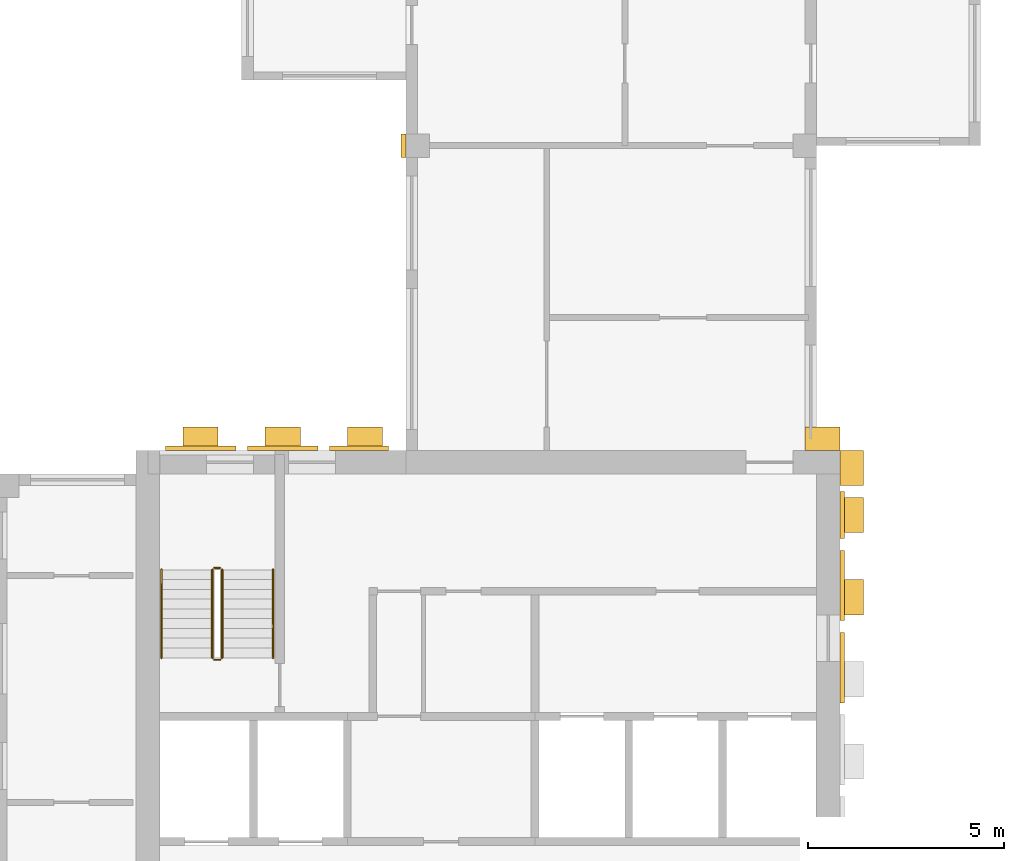
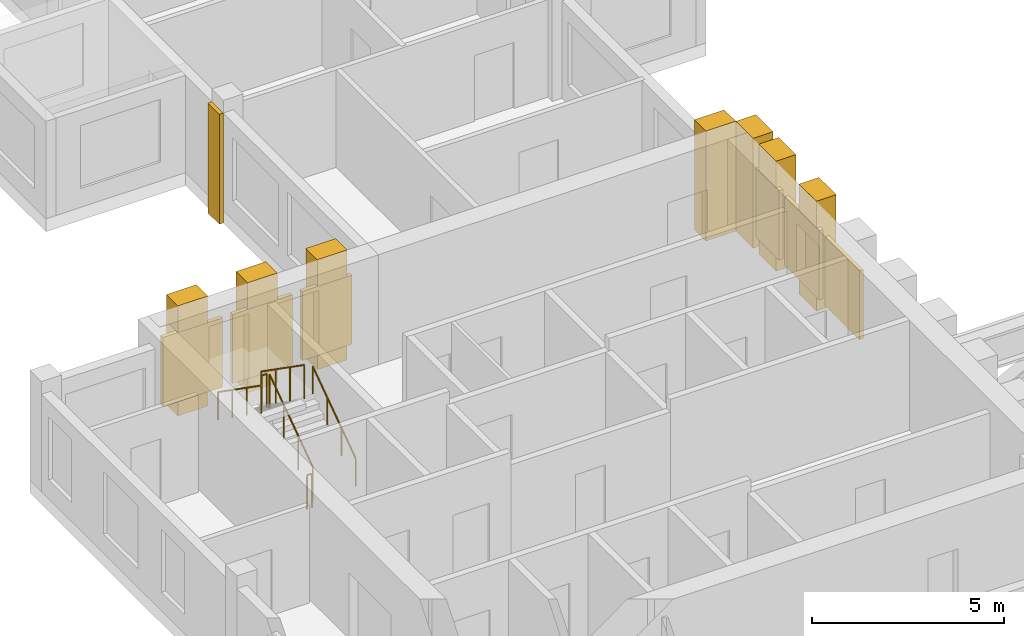
# One storey, part 7 of 9: 14 coverings, 6 railings.
"""IFC4 building model written with IfcOpenShell, lengths in metres."""

from ifc_helpers import new_model, si_unit, direction, frame, origin, origin_2d, place, context, subcontext, project, spatial, rectangle, circle, extrude, source, transform, mapped, material, type_object, element, save


model = new_model("IFC4")

# Units and contexts
model_context = context("Model", 3, precision=1e-05, world=origin(), true_north=direction((0.0, 1.0)))
body_context = subcontext(model_context, "Body", "Model", "MODEL_VIEW")
ifc_project = project(units=[si_unit("LENGTHUNIT", "METRE"), si_unit("AREAUNIT", "SQUARE_METRE"), si_unit("VOLUMEUNIT", "CUBIC_METRE"), si_unit("PLANEANGLEUNIT", "RADIAN"), si_unit("MASSUNIT", "GRAM", prefix="KILO")], contexts=[model_context])

# Site, building, storey
site_placement = place(None, origin())
site = spatial("IfcSite", under=ifc_project, at=site_placement, CompositionType="ELEMENT")
building_placement = place(site_placement, origin())
building = spatial("IfcBuilding", under=site, at=building_placement, Name="Aurelian Terraces", CompositionType="ELEMENT")
storey_placement = place(building_placement, frame((0.0, 0.0, 351.0)))
storey = spatial("IfcBuildingStorey", under=building, at=storey_placement, Name="L83", CompositionType="ELEMENT", Elevation=351.0)

# Coverings
ifc_material_1 = material(Name="Terracotta rainscreen cladding louvre blades", Category="masonry")
covering_type_1 = type_object("IfcCoveringType", Name="LOUVRE-TC", PredefinedType="CLADDING", material=ifc_material_1)
shared_shape_1 = source(origin(), body_context, "Body", "SweptSolid", [
    extrude(rectangle(XDim=0.12, YDim=1.8, at=origin_2d()), origin(), (0.0, 0.0, 1.0), 2.2),
])
for number, where, z_axis, x_axis, name in (
    (1, (21.66, 16.05, 0.45), (0.0, 0.0, 1.0), (1.0, 0.0, 0.0), "LOUVRE L83 core face E.4"),
    (2, (21.66, 18.15, 0.45), (0.0, 0.0, 1.0), (1.0, 0.0, 0.0), "LOUVRE L83 core face E.5"),
):
    element("IfcCovering", number, at=place(storey_placement, frame(where, z_axis=z_axis, x_axis=x_axis)), inside=storey, type_object=covering_type_1, Name=name, PredefinedType="CLADDING", context=body_context, shape_type="MappedRepresentation", body=[
        mapped(shared_shape_1, transform((0.0, 0.0, 0.0), scale=1.0)),
    ])
shared_shape_2 = source(origin(), body_context, "Body", "SweptSolid", [
    extrude(rectangle(XDim=1.8, YDim=0.12, at=origin_2d()), origin(), (0.0, 0.0, 1.0), 2.2),
])
for number, where, z_axis, x_axis, name in (
    (3, (5.25, 21.66, 0.45), (0.0, 0.0, 1.0), (1.0, 0.0, 0.0), "LOUVRE L83 core face N.1"),
    (4, (7.35, 21.66, 0.45), (0.0, 0.0, 1.0), (1.0, 0.0, 0.0), "LOUVRE L83 core face N.2"),
):
    element("IfcCovering", number, at=place(storey_placement, frame(where, z_axis=z_axis, x_axis=x_axis)), inside=storey, type_object=covering_type_1, Name=name, PredefinedType="CLADDING", context=body_context, shape_type="MappedRepresentation", body=[
        mapped(shared_shape_2, transform((0.0, 0.0, 0.0), scale=1.0)),
    ])
shared_shape_3 = source(origin(), body_context, "Body", "SweptSolid", [
    extrude(rectangle(XDim=0.12, YDim=1.2, at=origin_2d()), origin(), (0.0, 0.0, 1.0), 2.2),
])
covering_1_placement = place(storey_placement, frame((21.66, 19.95, 0.45), z_axis=(0.0, 0.0, 1.0), x_axis=(1.0, 0.0, 0.0)))
element("IfcCovering", 5, at=covering_1_placement, inside=storey, type_object=covering_type_1, Name="LOUVRE L83 core face E.6", PredefinedType="CLADDING", context=body_context, shape_type="MappedRepresentation", body=[
    mapped(shared_shape_3, transform((0.0, 0.0, 0.0), scale=1.0)),
])
shared_shape_4 = source(origin(), body_context, "Body", "SweptSolid", [
    extrude(rectangle(XDim=1.5, YDim=0.12, at=origin_2d()), origin(), (0.0, 0.0, 1.0), 2.2),
])
covering_2_placement = place(storey_placement, frame((9.3, 21.66, 0.45), z_axis=(0.0, 0.0, 1.0), x_axis=(1.0, 0.0, 0.0)))
element("IfcCovering", 6, at=covering_2_placement, inside=storey, type_object=covering_type_1, Name="LOUVRE L83 core face N.3", PredefinedType="CLADDING", context=body_context, shape_type="MappedRepresentation", body=[
    mapped(shared_shape_4, transform((0.0, 0.0, 0.0), scale=1.0)),
])
ifc_material_2 = material(Name="Terracotta rainscreen cladding relief", Category="masonry")
covering_type_2 = type_object("IfcCoveringType", Name="BAGUETTE-TC", PredefinedType="CLADDING", material=ifc_material_2)
shared_shape_5 = source(origin(), body_context, "Body", "SweptSolid", [
    extrude(rectangle(XDim=0.12, YDim=0.6, at=origin_2d()), origin(), (0.0, 0.0, 1.0), 3.5),
])
covering_3_placement = place(storey_placement, frame((10.44, 29.4, -0.4), z_axis=(0.0, 0.0, 1.0), x_axis=(1.0, 0.0, 0.0)))
element("IfcCovering", 7, at=covering_3_placement, inside=storey, type_object=covering_type_2, Name="BAGUETTE pier L83 2", PredefinedType="CLADDING", context=body_context, shape_type="MappedRepresentation", body=[
    mapped(shared_shape_5, transform((0.0, 0.0, 0.0), scale=1.0)),
])

# Railings
ifc_material_3 = material(Name="Stainless steel", Category="steel")
railing_type_1 = type_object("IfcRailingType", Name="Stair guard 1100", PredefinedType="GUARDRAIL", material=ifc_material_3)
shared_shape_6 = source(origin(), body_context, "Body", "SweptSolid", [
    extrude(circle(Radius=0.024, at=origin_2d()), frame((0.0, 0.0, 1.076), z_axis=(-1.0, 0.0, 0.0), x_axis=(0.0, -1.0, 0.0)), (0.0, 0.0, 1.0), 0.15),
    extrude(circle(Radius=0.021, at=origin_2d()), origin(), (0.0, 0.0, 1.0), 1.052),
    extrude(circle(Radius=0.021, at=origin_2d()), frame((-0.15, 0.0, 0.0)), (0.0, 0.0, 1.0), 1.052),
])
for number, where, name in (
    (8, (5.75, 18.6, 1.75), "L83 S1 stair guard 2"),
    (9, (5.75, 16.25, 0.0), "L83 S1 stair guard 4"),
):
    element("IfcRailing", number, at=place(storey_placement, frame(where)), inside=storey, type_object=railing_type_1, Name=name, PredefinedType="GUARDRAIL", context=body_context, shape_type="MappedRepresentation", body=[
        mapped(shared_shape_6, transform((0.0, 0.0, 0.0), scale=1.0)),
    ])
shared_shape_7 = source(origin(), body_context, "Body", "SweptSolid", [
    extrude(circle(Radius=0.024, at=origin_2d()), frame((0.0, 0.0, 1.076), z_axis=(0.0, 0.819231920519, 0.573462344363), x_axis=(-1.0, 0.0, 0.0)), (0.0, 0.0, 1.0), 2.7465),
    extrude(circle(Radius=0.021, at=origin_2d()), origin(), (0.0, 0.0, 1.0), 1.052),
    extrude(circle(Radius=0.021, at=origin_2d()), frame((0.0, 0.75, 0.525)), (0.0, 0.0, 1.0), 1.052),
    extrude(circle(Radius=0.021, at=origin_2d()), frame((0.0, 1.5, 1.05)), (0.0, 0.0, 1.0), 1.052),
    extrude(circle(Radius=0.021, at=origin_2d()), frame((0.0, 2.25, 1.575)), (0.0, 0.0, 1.0), 1.052),
])
railing_1_placement = place(storey_placement, frame((5.8, 16.3, 0.175)))
element("IfcRailing", 10, at=railing_1_placement, inside=storey, type_object=railing_type_1, Name="L83 S1 stair guard 1", PredefinedType="GUARDRAIL", context=body_context, shape_type="MappedRepresentation", body=[
    mapped(shared_shape_7, transform((0.0, 0.0, 0.0), scale=1.0)),
])
shared_shape_8 = source(origin(), body_context, "Body", "SweptSolid", [
    extrude(circle(Radius=0.024, at=origin_2d()), frame((0.0, 0.0, 1.076), z_axis=(0.0, -0.819231920519, 0.573462344363), x_axis=(1.0, 0.0, 0.0)), (0.0, 0.0, 1.0), 2.7465),
    extrude(circle(Radius=0.021, at=origin_2d()), origin(), (0.0, 0.0, 1.0), 1.052),
    extrude(circle(Radius=0.021, at=origin_2d()), frame((0.0, -0.75, 0.525)), (0.0, 0.0, 1.0), 1.052),
    extrude(circle(Radius=0.021, at=origin_2d()), frame((0.0, -1.5, 1.05)), (0.0, 0.0, 1.0), 1.052),
    extrude(circle(Radius=0.021, at=origin_2d()), frame((0.0, -2.25, 1.575)), (0.0, 0.0, 1.0), 1.052),
])
railing_2_placement = place(storey_placement, frame((5.55, 18.55, 1.925)))
element("IfcRailing", 11, at=railing_2_placement, inside=storey, type_object=railing_type_1, Name="L83 S1 stair guard 3", PredefinedType="GUARDRAIL", context=body_context, shape_type="MappedRepresentation", body=[
    mapped(shared_shape_8, transform((0.0, 0.0, 0.0), scale=1.0)),
])
railing_type_2 = type_object("IfcRailingType", Name="Stair handrail", PredefinedType="HANDRAIL", material=ifc_material_3)
shared_shape_9 = source(origin(), body_context, "Body", "SweptSolid", [
    extrude(circle(Radius=0.024, at=origin_2d()), frame((0.0, 0.0, 0.876), z_axis=(0.0, 0.819231920519, 0.573462344363), x_axis=(-1.0, 0.0, 0.0)), (0.0, 0.0, 1.0), 2.7465),
    extrude(circle(Radius=0.021, at=origin_2d()), origin(), (0.0, 0.0, 1.0), 0.852),
    extrude(circle(Radius=0.021, at=origin_2d()), frame((0.0, 0.75, 0.525)), (0.0, 0.0, 1.0), 0.852),
    extrude(circle(Radius=0.021, at=origin_2d()), frame((0.0, 1.5, 1.05)), (0.0, 0.0, 1.0), 0.852),
    extrude(circle(Radius=0.021, at=origin_2d()), frame((0.0, 2.25, 1.575)), (0.0, 0.0, 1.0), 0.852),
])
railing_3_placement = place(storey_placement, frame((7.1, 16.3, 0.175)))
element("IfcRailing", 12, at=railing_3_placement, inside=storey, type_object=railing_type_2, Name="L83 S1 stair handrail 1", PredefinedType="HANDRAIL", context=body_context, shape_type="MappedRepresentation", body=[
    mapped(shared_shape_9, transform((0.0, 0.0, 0.0), scale=1.0)),
])
shared_shape_10 = source(origin(), body_context, "Body", "SweptSolid", [
    extrude(circle(Radius=0.024, at=origin_2d()), frame((0.0, 0.0, 0.876), z_axis=(0.0, -0.819231920519, 0.573462344363), x_axis=(1.0, 0.0, 0.0)), (0.0, 0.0, 1.0), 2.7465),
    extrude(circle(Radius=0.021, at=origin_2d()), origin(), (0.0, 0.0, 1.0), 0.852),
    extrude(circle(Radius=0.021, at=origin_2d()), frame((0.0, -0.75, 0.525)), (0.0, 0.0, 1.0), 0.852),
    extrude(circle(Radius=0.021, at=origin_2d()), frame((0.0, -1.5, 1.05)), (0.0, 0.0, 1.0), 0.852),
    extrude(circle(Radius=0.021, at=origin_2d()), frame((0.0, -2.25, 1.575)), (0.0, 0.0, 1.0), 0.852),
])
railing_4_placement = place(storey_placement, frame((4.25, 18.55, 1.925)))
element("IfcRailing", 13, at=railing_4_placement, inside=storey, type_object=railing_type_2, Name="L83 S1 stair handrail 2", PredefinedType="HANDRAIL", context=body_context, shape_type="MappedRepresentation", body=[
    mapped(shared_shape_10, transform((0.0, 0.0, 0.0), scale=1.0)),
])

# Coverings
covering_type_3 = type_object("IfcCoveringType", Name="Core spine pier 900x600", PredefinedType="CLADDING", material=ifc_material_2)
shared_shape_11 = source(origin(), body_context, "Body", "SweptSolid", [
    extrude(rectangle(XDim=0.6, YDim=0.9, at=origin_2d()), origin(), (0.0, 0.0, 1.0), 3.5),
])
for number, where, z_axis, x_axis, name in (
    (14, (21.9, 17.85, 0.0), (0.0, 0.0, 1.0), (1.0, 0.0, 0.0), "Spine pier L83 E7"),
    (15, (21.9, 19.95, 0.0), (0.0, 0.0, 1.0), (1.0, 0.0, 0.0), "Spine pier L83 E8"),
    (16, (21.9, 21.15, 0.0), (0.0, 0.0, 1.0), (1.0, 0.0, 0.0), "Spine pier L83 corner east"),
):
    element("IfcCovering", number, at=place(storey_placement, frame(where, z_axis=z_axis, x_axis=x_axis)), inside=storey, type_object=covering_type_3, Name=name, PredefinedType="CLADDING", context=body_context, shape_type="MappedRepresentation", body=[
        mapped(shared_shape_11, transform((0.0, 0.0, 0.0), scale=1.0)),
    ])
shared_shape_12 = source(origin(), body_context, "Body", "SweptSolid", [
    extrude(rectangle(XDim=0.9, YDim=0.6, at=origin_2d()), origin(), (0.0, 0.0, 1.0), 3.5),
])
for number, where, z_axis, x_axis, name in (
    (17, (5.25, 21.9, 0.0), (0.0, 0.0, 1.0), (1.0, 0.0, 0.0), "Spine pier L83 N9"),
    (18, (7.35, 21.9, 0.0), (0.0, 0.0, 1.0), (1.0, 0.0, 0.0), "Spine pier L83 N10"),
    (19, (9.45, 21.9, 0.0), (0.0, 0.0, 1.0), (1.0, 0.0, 0.0), "Spine pier L83 N11"),
    (20, (21.15, 21.9, 0.0), (0.0, 0.0, 1.0), (1.0, 0.0, 0.0), "Spine pier L83 corner north"),
):
    element("IfcCovering", number, at=place(storey_placement, frame(where, z_axis=z_axis, x_axis=x_axis)), inside=storey, type_object=covering_type_3, Name=name, PredefinedType="CLADDING", context=body_context, shape_type="MappedRepresentation", body=[
        mapped(shared_shape_12, transform((0.0, 0.0, 0.0), scale=1.0)),
    ])

save(model, "model.ifc")
